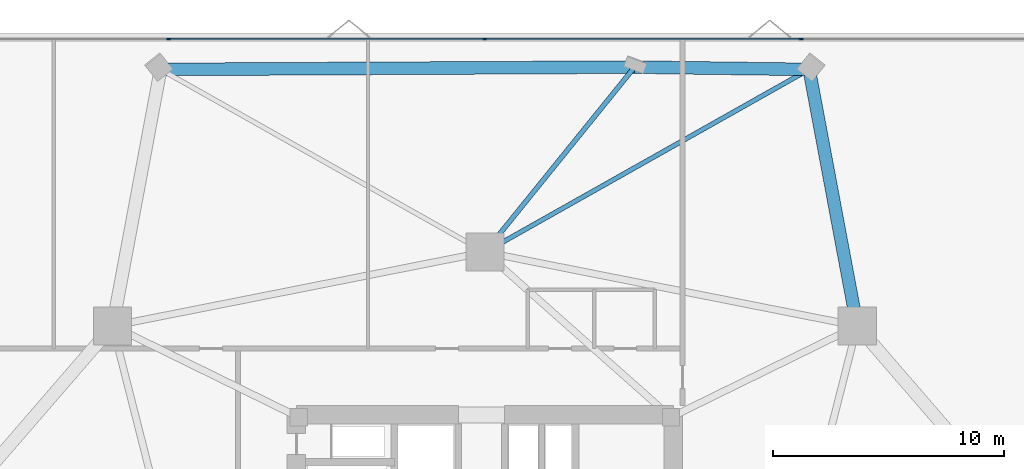
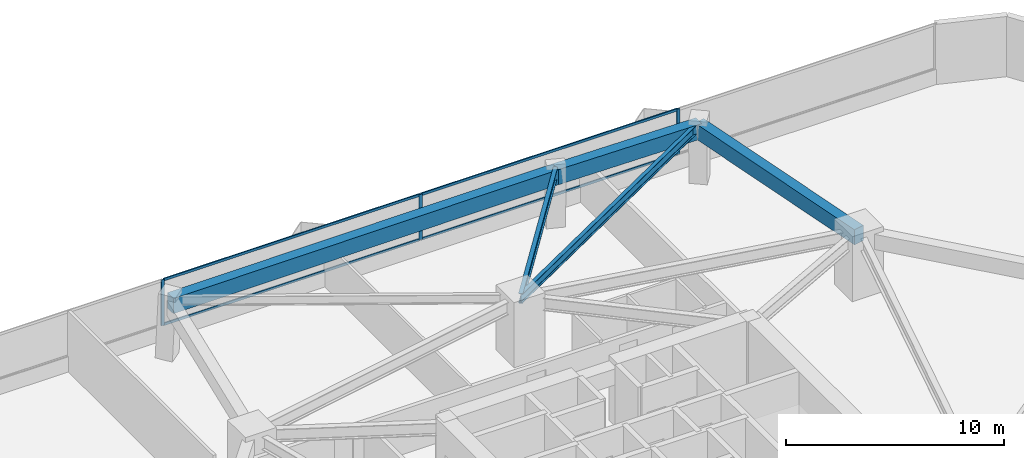
# One storey, part 13 of 20: 7 members, 5 beams, 1 element without a shape of its own.
"""IFC4 building model written with IfcOpenShell, lengths in metres."""

from ifc_helpers import new_model, si_unit, direction, frame, origin, origin_2d, place, context, subcontext, project, spatial, rectangle, i_section, extrude, material, layer, layer_set, material_profile, profile_set, type_object, element, aggregate, save


model = new_model("IFC4")

# Units and contexts
model_context = context("Model", 3, precision=1e-05, world=origin(), true_north=direction((0.0, 1.0)))
body_context = subcontext(model_context, "Body", "Model", "MODEL_VIEW")
ifc_project = project(units=[si_unit("LENGTHUNIT", "METRE"), si_unit("AREAUNIT", "SQUARE_METRE"), si_unit("VOLUMEUNIT", "CUBIC_METRE"), si_unit("PLANEANGLEUNIT", "RADIAN"), si_unit("MASSUNIT", "GRAM", prefix="KILO")], contexts=[model_context])

# Site, building, storey
site_placement = place(None, origin())
site = spatial("IfcSite", under=ifc_project, at=site_placement, CompositionType="ELEMENT")
building_placement = place(site_placement, origin())
building = spatial("IfcBuilding", under=site, at=building_placement, Name="Talyreon Biosciences Tower", CompositionType="ELEMENT")
storey_placement = place(building_placement, frame((0.0, 0.0, 75.0)))
storey = spatial("IfcBuildingStorey", under=building, at=storey_placement, Name="L19", CompositionType="ELEMENT", Elevation=75.0)

# Curtain wall, members
ifc_material_1 = material(Name="Thermally broken aluminium and low-E glazing", Category="aluminium")
ifc_layer = layer(ifc_material_1, 0.18994140625)
ifc_layer_set = layer_set([ifc_layer], Name="Thermally broken aluminium and low-E glazing")
curtain_wall_type = type_object("IfcCurtainWallType", Name="CurtainWall_Zone2Genomics", PredefinedType="NOTDEFINED", material=ifc_layer_set)
curtain_wall_placement = place(storey_placement, origin())
curtain_wall = element("IfcCurtainWall", 1, at=curtain_wall_placement, inside=storey, type_object=curtain_wall_type, Name="L19 Unitised Curtain Wall FCW-L19-04", PredefinedType="NOTDEFINED")
ifc_material_2 = material(Name="Anodised thermally broken aluminium", Category="aluminium")
ifc_material_profile_1 = material_profile(ifc_material_2, rectangle(XDim=0.06494140625, YDim=0.179931640625, at=origin_2d()), Name="ALUM MULLION 65x180")
ifc_profile_set_1 = profile_set([ifc_material_profile_1], Name="Anodised thermally broken aluminium")
member_type_1 = type_object("IfcMemberType", Name="CWMullion_65x180", PredefinedType="MULLION", material=ifc_profile_set_1)
member_1_placement = place(storey_placement, frame((52.324951171875, 91.007080078125, 0.81005859375), z_axis=(0.0, 0.0, 1.0), x_axis=(0.0, 1.0, 0.0)))
member_1 = element("IfcMember", 2, at=member_1_placement, type_object=member_type_1, Name="CW3 mullion 2", PredefinedType="MULLION", context=body_context, shape_type="SweptSolid", body=[
    extrude(rectangle(XDim=0.06494140625, YDim=0.179931640625, at=origin_2d()), origin(), (0.0, 0.0, 1.0), 2.56494140625),
])
member_2_placement = place(storey_placement, frame((66.0, 91.007080078125, 0.81005859375), z_axis=(0.0, 0.0, 1.0), x_axis=(0.0, 1.0, 0.0)))
member_2 = element("IfcMember", 3, at=member_2_placement, type_object=member_type_1, Name="CW3 mullion 3", PredefinedType="MULLION", context=body_context, shape_type="SweptSolid", body=[
    extrude(rectangle(XDim=0.06494140625, YDim=0.179931640625, at=origin_2d()), origin(), (0.0, 0.0, 1.0), 2.56494140625),
])
member_3_placement = place(storey_placement, frame((79.675048828125, 91.007080078125, 0.81005859375), z_axis=(0.0, 0.0, 1.0), x_axis=(0.0, 1.0, 0.0)))
member_3 = element("IfcMember", 4, at=member_3_placement, type_object=member_type_1, Name="CW3 mullion 4", PredefinedType="MULLION", context=body_context, shape_type="SweptSolid", body=[
    extrude(rectangle(XDim=0.06494140625, YDim=0.179931640625, at=origin_2d()), origin(), (0.0, 0.0, 1.0), 2.56494140625),
])
ifc_material_profile_2 = material_profile(ifc_material_2, rectangle(XDim=0.06494140625, YDim=0.139892578125, at=origin_2d()), Name="ALUM TRANSOM 65x140")
ifc_profile_set_2 = profile_set([ifc_material_profile_2], Name="Anodised thermally broken aluminium")
member_type_2 = type_object("IfcMemberType", Name="CWTransom_65x140", PredefinedType="USERDEFINED", material=ifc_profile_set_2)
member_4_placement = place(storey_placement, frame((52.357421875, 91.007080078125, 0.842529296875), z_axis=(1.0, 0.0, 0.0), x_axis=(0.0, 1.0, 0.0)))
member_4 = element("IfcMember", 5, at=member_4_placement, type_object=member_type_2, Name="CW3 transom 2.1", ObjectType="TRANSOM", PredefinedType="USERDEFINED", context=body_context, shape_type="SweptSolid", body=[
    extrude(rectangle(XDim=0.06494140625, YDim=0.139892578125, at=origin_2d()), origin(), (0.0, 0.0, 1.0), 13.610107421875),
])
member_5_placement = place(storey_placement, frame((52.357421875, 91.007080078125, 3.342529296875), z_axis=(1.0, 0.0, 0.0), x_axis=(0.0, 1.0, 0.0)))
member_5 = element("IfcMember", 6, at=member_5_placement, type_object=member_type_2, Name="CW3 transom 2.2", ObjectType="TRANSOM", PredefinedType="USERDEFINED", context=body_context, shape_type="SweptSolid", body=[
    extrude(rectangle(XDim=0.06494140625, YDim=0.139892578125, at=origin_2d()), origin(), (0.0, 0.0, 1.0), 13.610107421875),
])
member_6_placement = place(storey_placement, frame((66.032470703125, 91.007080078125, 0.842529296875), z_axis=(1.0, 0.0, 0.0), x_axis=(0.0, 1.0, 0.0)))
member_6 = element("IfcMember", 7, at=member_6_placement, type_object=member_type_2, Name="CW3 transom 3.1", ObjectType="TRANSOM", PredefinedType="USERDEFINED", context=body_context, shape_type="SweptSolid", body=[
    extrude(rectangle(XDim=0.06494140625, YDim=0.139892578125, at=origin_2d()), origin(), (0.0, 0.0, 1.0), 13.610107421875),
])
member_7_placement = place(storey_placement, frame((66.032470703125, 91.007080078125, 3.342529296875), z_axis=(1.0, 0.0, 0.0), x_axis=(0.0, 1.0, 0.0)))
member_7 = element("IfcMember", 8, at=member_7_placement, type_object=member_type_2, Name="CW3 transom 3.2", ObjectType="TRANSOM", PredefinedType="USERDEFINED", context=body_context, shape_type="SweptSolid", body=[
    extrude(rectangle(XDim=0.06494140625, YDim=0.139892578125, at=origin_2d()), origin(), (0.0, 0.0, 1.0), 13.610107421875),
])
aggregate(curtain_wall, [member_1, member_2, member_3, member_4, member_5, member_6, member_7])

# Beams
ifc_material_3 = material(Name="Precast concrete C45/55", Category="concrete")
ifc_material_profile_3 = material_profile(ifc_material_3, rectangle(XDim=0.550048828125, YDim=0.85009765625, at=origin_2d()), Name="RCB 550x850")
ifc_profile_set_3 = profile_set([ifc_material_profile_3], Name="Precast concrete C45/55")
beam_type_1 = type_object("IfcBeamType", Name="ExpressedSpandrel_550x850", PredefinedType="SPANDREL", material=ifc_profile_set_3)
beam_1_placement = place(storey_placement, frame((82.102294921875, 78.5986328125, 2.949951171875), z_axis=(-0.183975074419, 0.982930909064, 0.0), x_axis=(-0.982930909064, -0.183975074419, 0.0)))
element("IfcBeam", 9, at=beam_1_placement, inside=storey, type_object=beam_type_1, Name="L19 Expressed Horizontal Concrete Spandrel 05", PredefinedType="SPANDREL", context=body_context, shape_type="SweptSolid", body=[
    extrude(rectangle(XDim=0.550048828125, YDim=0.85009765625, at=origin_2d()), origin(), (0.0, 0.0, 1.0), 11.286376953125),
])
beam_2_placement = place(storey_placement, frame((80.02587890625, 89.6923828125, 2.949951171875), z_axis=(-0.999912182662, 0.013252432355, 0.0), x_axis=(-0.013252432355, -0.999912182662, 0.0)))
element("IfcBeam", 10, at=beam_2_placement, inside=storey, type_object=beam_type_1, Name="L19 Expressed Horizontal Concrete Spandrel 06", PredefinedType="SPANDREL", context=body_context, shape_type="SweptSolid", body=[
    extrude(rectangle(XDim=0.550048828125, YDim=0.85009765625, at=origin_2d()), origin(), (0.0, 0.0, 1.0), 7.55322265625),
])
beam_3_placement = place(storey_placement, frame((72.473388671875, 89.79248046875, 2.949951171875), z_axis=(-0.999988078432, -0.004882928746, 0.0), x_axis=(0.004882928746, -0.999988078432, 0.0)))
element("IfcBeam", 11, at=beam_3_placement, inside=storey, type_object=beam_type_1, Name="L19 Expressed Horizontal Concrete Spandrel 07", PredefinedType="SPANDREL", context=body_context, shape_type="SweptSolid", body=[
    extrude(rectangle(XDim=0.550048828125, YDim=0.85009765625, at=origin_2d()), origin(), (0.0, 0.0, 1.0), 20.49951171875),
])
ifc_material_4 = material(Name="Steel SM355", Category="steel")
ifc_material_profile_4 = material_profile(ifc_material_4, i_section(OverallWidth=0.199951171875, OverallDepth=0.5, WebThickness=0.01025390625, FlangeThickness=0.01611328125, FilletRadius=0.02099609375, at=origin_2d()), Name="IPE500")
ifc_profile_set_4 = profile_set([ifc_material_profile_4], Name="Steel SM355")
beam_type_2 = type_object("IfcBeamType", Name="SteelJoist_IPE500", PredefinedType="JOIST", material=ifc_profile_set_4)
beam_4_placement = place(storey_placement, frame((66.0, 81.788818359375, 3.125), z_axis=(0.871203507505, 0.490922039138, 0.0), x_axis=(-0.490922039138, 0.871203507505, 0.0)))
element("IfcBeam", 12, at=beam_4_placement, inside=storey, type_object=beam_type_2, Name="L19 Radial Composite Floor Joist PC-N1", PredefinedType="JOIST", context=body_context, shape_type="SweptSolid", body=[
    extrude(i_section(OverallWidth=0.199951171875, OverallDepth=0.5, WebThickness=0.01025390625, FlangeThickness=0.01611328125, FilletRadius=0.02099609375, at=origin_2d()), origin(), (0.0, 0.0, 1.0), 16.099365234375),
])
ifc_material_profile_5 = material_profile(ifc_material_4, i_section(OverallWidth=0.2099609375, OverallDepth=0.550048828125, WebThickness=0.010986328125, FlangeThickness=0.01708984375, FilletRadius=0.02392578125, at=origin_2d()), Name="IPE550")
ifc_profile_set_5 = profile_set([ifc_material_profile_5], Name="Steel SM355")
beam_type_3 = type_object("IfcBeamType", Name="SteelJoist_IPE550", PredefinedType="JOIST", material=ifc_profile_set_5)
beam_5_placement = place(storey_placement, frame((66.0, 81.788818359375, 3.10009765625), z_axis=(0.628859761291, 0.777518746159, 0.0), x_axis=(-0.777518746159, 0.628859761291, 0.0)))
element("IfcBeam", 13, at=beam_5_placement, inside=storey, type_object=beam_type_3, Name="L19 Radial Composite Floor Joist PL-N", PredefinedType="JOIST", context=body_context, shape_type="SweptSolid", body=[
    extrude(i_section(OverallWidth=0.2099609375, OverallDepth=0.550048828125, WebThickness=0.010986328125, FlangeThickness=0.01708984375, FilletRadius=0.02392578125, at=origin_2d()), origin(), (0.0, 0.0, 1.0), 10.2939453125),
])

save(model, "model.ifc")
